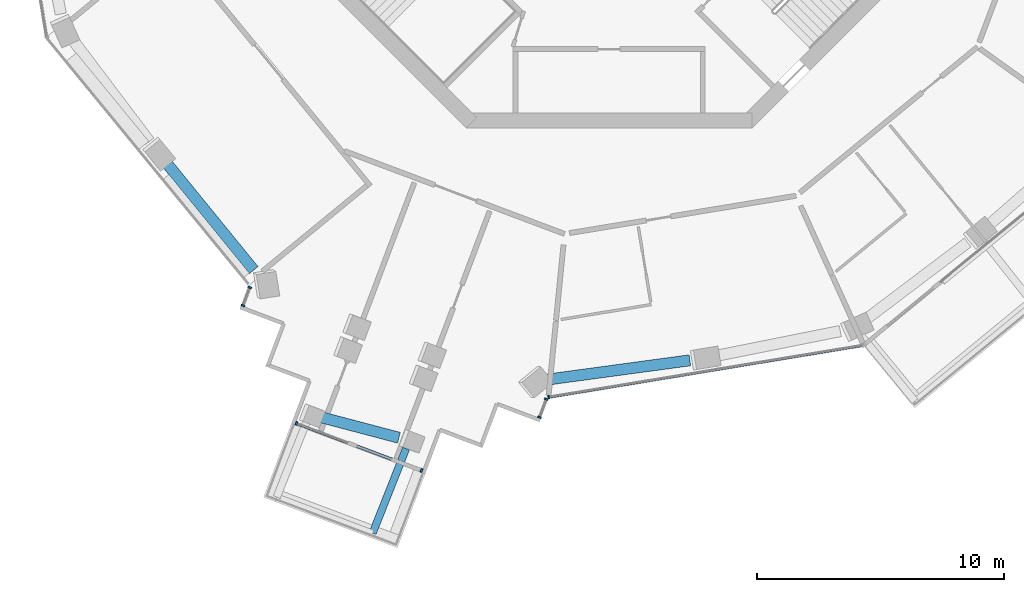
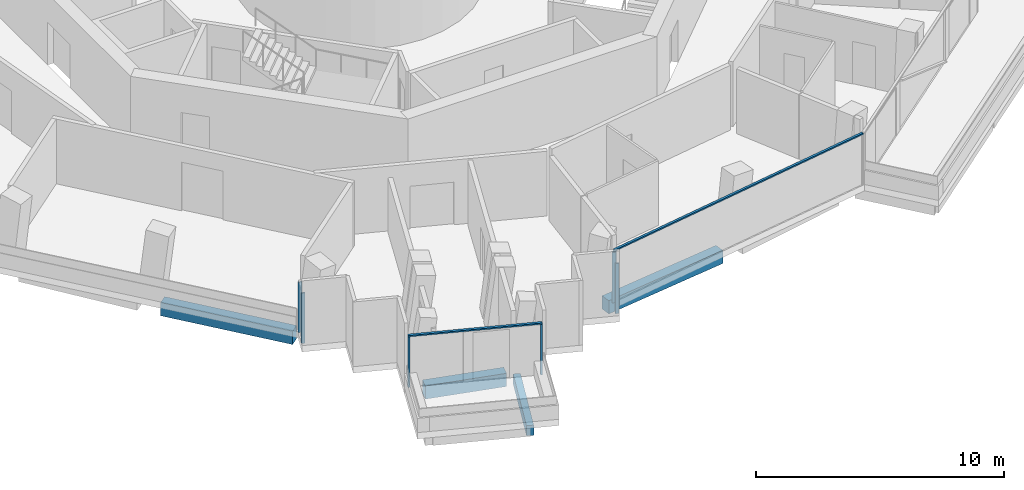
# One storey, part 2 of 21: 9 members, 4 beams, 4 elements without a shape of their own.
"""IFC4 building model written with IfcOpenShell, lengths in metres."""

import ifcopenshell
import ifcopenshell.guid

model = None  # the IFC model being written
_history = None  # IfcOwnerHistory: only IFC2X3 demands one
_inside = {}  # id of a spatial element -> (the spatial element, [elements in it])
_under = {}  # id of a project, library or spatial element -> (it, [spatial elements below it])
_declared = {}  # id of a project -> (the project, [libraries it declares])
_typed = {}  # id of a type object -> (the type object, [elements of that type])
_made_of = {}  # id of a material, layer set ... -> (it, [elements and type objects made of it])


def new_model(schema):
    """Start an empty IFC model of exactly this schema.

    Asked for "IFC4X3", IfcOpenShell would pick the latest addendum, in which some entities
    have other attributes; the version numbers below select the first issue.
    IFC2X3 requires an IfcOwnerHistory on every rooted entity: one is made here for all.
    """
    global model, _history
    if schema == "IFC4X3":
        model = ifcopenshell.file(schema_version=(4, 3, 0, 0))
    else:
        model = ifcopenshell.file(schema=schema)
    _inside.clear()
    _under.clear()
    _declared.clear()
    _typed.clear()
    _made_of.clear()
    _history = None
    if model.schema == "IFC2X3":
        org = make("IfcOrganization", Name="unknown")
        user = make(
            "IfcPersonAndOrganization",
            ThePerson=make("IfcPerson", FamilyName="unknown"),
            TheOrganization=org,
        )
        app = make(
            "IfcApplication",
            ApplicationDeveloper=org,
            Version="unknown",
            ApplicationFullName="unknown",
            ApplicationIdentifier="unknown",
        )
        _history = make(
            "IfcOwnerHistory",
            OwningUser=user,
            OwningApplication=app,
            ChangeAction="ADDED",
            CreationDate=0,
        )
    return model


def make(cls, **values):
    """One entity of the class cls with the attributes given. An attribute that is None is left unset."""
    return model.create_entity(
        cls, **{name: value for name, value in values.items() if value is not None}
    )


def rooted(cls, **values):
    """An entity with a GlobalId (a new one), such as an element, a storey or a relation."""
    return make(cls, GlobalId=ifcopenshell.guid.new(), OwnerHistory=_history, **values)


def si_unit(unit_type, name, prefix=None):
    """IfcSIUnit, for example si_unit("LENGTHUNIT", "METRE", prefix="MILLI")."""
    return make("IfcSIUnit", UnitType=unit_type, Prefix=prefix, Name=name)


def assignment(units):
    """IfcUnitAssignment: the units of a project."""
    return None if units is None else make("IfcUnitAssignment", Units=units)


def point(xyz):
    """IfcCartesianPoint."""
    return None if xyz is None else make("IfcCartesianPoint", Coordinates=xyz)


def direction(xyz):
    """IfcDirection."""
    return None if xyz is None else make("IfcDirection", DirectionRatios=xyz)


def frame(location, z_axis=None, x_axis=None):
    """IfcAxis2Placement3D, a coordinate frame: its origin and axes. An axis left out is left unset."""
    return make(
        "IfcAxis2Placement3D",
        Location=point(location),
        Axis=direction(z_axis),
        RefDirection=direction(x_axis),
    )


def frame_2d(location, x_axis=None):
    """IfcAxis2Placement2D, a coordinate frame in the plane: its origin and x axis."""
    return make(
        "IfcAxis2Placement2D", Location=point(location), RefDirection=direction(x_axis)
    )


def origin():
    """The frame at (0, 0, 0) with its axes left unset."""
    return frame((0.0, 0.0, 0.0))


def origin_2d():
    """The frame at (0, 0) in the plane with its x axis left unset."""
    return frame_2d((0.0, 0.0))


def place(relative_to, where):
    """IfcLocalPlacement: puts the frame where relative to a parent placement (None: the world)."""
    return make(
        "IfcLocalPlacement", PlacementRelTo=relative_to, RelativePlacement=where
    )


def context(
    kind, dimensions, precision=None, world=None, true_north=None, identifier=None
):
    """IfcGeometricRepresentationContext, for example the 3D "Model" context."""
    return make(
        "IfcGeometricRepresentationContext",
        ContextIdentifier=identifier,
        ContextType=kind,
        CoordinateSpaceDimension=dimensions,
        Precision=precision,
        WorldCoordinateSystem=world,
        TrueNorth=true_north,
    )


def subcontext(parent, identifier, kind, view, scale=None):
    """IfcGeometricRepresentationSubContext, for example "Body" below "Model"."""
    return make(
        "IfcGeometricRepresentationSubContext",
        ContextIdentifier=identifier,
        ContextType=kind,
        ParentContext=parent,
        TargetScale=scale,
        TargetView=view,
    )


def project(units=None, contexts=None):
    """IfcProject with its units and contexts."""
    return rooted(
        "IfcProject",
        Name="project",
        RepresentationContexts=contexts,
        UnitsInContext=assignment(units),
    )


def spatial(cls, under=None, at=None, **own):
    """A site, building, storey or space (cls), placed at a placement, below another one or the project."""
    s = rooted(cls, ObjectPlacement=at, **own)
    if under is not None:
        _under.setdefault(under.id(), (under, []))[1].append(s)
    return s


def profile(cls, at=None, kind="AREA", **sizes):
    """A parametric profile (cls). Its sizes go by their IFC names, for example OverallWidth=200.0."""
    return make(cls, ProfileType=kind, Position=at, **sizes)


def rectangle(**sizes):
    """IfcRectangleProfileDef."""
    return profile("IfcRectangleProfileDef", **sizes)


def extrude(swept, where, along, depth):
    """IfcExtrudedAreaSolid: the profile swept, set in the frame where, extruded along a direction by depth."""
    return make(
        "IfcExtrudedAreaSolid",
        SweptArea=swept,
        Position=where,
        ExtrudedDirection=direction(along),
        Depth=depth,
    )


def shape(context_of_items, identifier, shape_type, items):
    """IfcShapeRepresentation: the items that make up one representation, for example the "Body"."""
    return make(
        "IfcShapeRepresentation",
        ContextOfItems=context_of_items,
        RepresentationIdentifier=identifier,
        RepresentationType=shape_type,
        Items=items,
    )


def material(Name=None, Category=None):
    """IfcMaterial."""
    return make("IfcMaterial", Name=Name, Category=Category)


def layer(
    of_material, thickness, ventilated=None, Name=None, Category=None, Priority=None
):
    """IfcMaterialLayer: one layer of a wall or slab, of a material (None: an air gap)."""
    return make(
        "IfcMaterialLayer",
        Material=of_material,
        LayerThickness=thickness,
        IsVentilated=ventilated,
        Name=Name,
        Category=Category,
        Priority=Priority,
    )


def layer_set(layers, Name=None):
    """IfcMaterialLayerSet."""
    return make("IfcMaterialLayerSet", MaterialLayers=layers, LayerSetName=Name)


def material_profile(
    of_material, cross_section, Name=None, Category=None, Priority=None
):
    """IfcMaterialProfile: a cross section and its material."""
    return make(
        "IfcMaterialProfile",
        Name=Name,
        Material=of_material,
        Profile=cross_section,
        Priority=Priority,
        Category=Category,
    )


def profile_set(profiles, Name=None, composite=None):
    """IfcMaterialProfileSet."""
    return make(
        "IfcMaterialProfileSet",
        Name=Name,
        MaterialProfiles=profiles,
        CompositeProfile=composite,
    )


def made_of(thing, what):
    """Note that an element or type object is made of a material, layer set ...; save() writes the relation."""
    if what is not None:
        _made_of.setdefault(what.id(), (what, []))[1].append(thing)
    return thing


def type_object(cls, material=None, **own):
    """A type object (cls), such as IfcWallType, which elements share."""
    return made_of(rooted(cls, **own), material)


def element(
    cls,
    number,
    at=None,
    inside=None,
    cuts=None,
    type_object=None,
    material=None,
    context=None,
    identifier="Body",
    shape_type=None,
    held_by="IfcProductDefinitionShape",
    body=None,
    shapes=None,
    **own,
):
    """One element of the class cls, such as IfcWall. Its Tag is "e" and its number.

    at: its placement. inside: the storey or other place that contains it. cuts: it is an
    opening in that element (IfcRelVoidsElement). A single representation is given by context,
    identifier, shape_type and body (its items); several are given by shapes. held_by: the class
    of the entity that holds the representations. save() writes the other relations.
    """
    e = rooted(cls, Tag="e%d" % number, ObjectPlacement=at, **own)
    if body is not None:
        shapes = [shape(context, identifier, shape_type, body)]
    if shapes is not None:
        e.Representation = make(held_by, Representations=shapes)
    if inside is not None:
        _inside.setdefault(inside.id(), (inside, []))[1].append(e)
    if cuts is not None:
        rooted(
            "IfcRelVoidsElement", RelatingBuildingElement=cuts, RelatedOpeningElement=e
        )
    if type_object is not None:
        _typed.setdefault(type_object.id(), (type_object, []))[1].append(e)
    return made_of(e, material)


def aggregate(whole, parts):
    """IfcRelAggregates: a whole, such as a stair, and the parts it consists of."""
    return rooted("IfcRelAggregates", RelatingObject=whole, RelatedObjects=parts)


def save(model, path):
    """Write the relations noted so far, then the file.

    IfcRelAggregates (storeys below a building ...), IfcRelContainedInSpatialStructure (elements
    in a storey), IfcRelDefinesByType, IfcRelAssociatesMaterial and IfcRelDeclares: one each for
    every whole, place, type object, material and project.
    """
    for whole, parts in _under.values():
        aggregate(whole, parts)
    for where, things in _inside.values():
        rooted(
            "IfcRelContainedInSpatialStructure",
            RelatedElements=things,
            RelatingStructure=where,
        )
    for kind, things in _typed.values():
        rooted("IfcRelDefinesByType", RelatedObjects=things, RelatingType=kind)
    for what, things in _made_of.values():
        rooted("IfcRelAssociatesMaterial", RelatedObjects=things, RelatingMaterial=what)
    for by, libraries in _declared.values():
        rooted("IfcRelDeclares", RelatingContext=by, RelatedDefinitions=libraries)
    model.write(path)


model = new_model("IFC4")

# Units and contexts
model_context = context("Model", 3, precision=1e-05, world=origin(), true_north=direction((0.0, 1.0)))
body_context = subcontext(model_context, "Body", "Model", "MODEL_VIEW")
ifc_project = project(units=[si_unit("LENGTHUNIT", "METRE"), si_unit("AREAUNIT", "SQUARE_METRE"), si_unit("VOLUMEUNIT", "CUBIC_METRE"), si_unit("PLANEANGLEUNIT", "RADIAN"), si_unit("MASSUNIT", "GRAM", prefix="KILO")], contexts=[model_context])

# Site, building, storey
site_placement = place(None, origin())
site = spatial("IfcSite", under=ifc_project, at=site_placement, CompositionType="ELEMENT")
building_placement = place(site_placement, origin())
building = spatial("IfcBuilding", under=site, at=building_placement, Name="Verdalira Terraces Hotel", CompositionType="ELEMENT")
storey_placement = place(building_placement, frame((0.0, 0.0, 194.0)))
storey = spatial("IfcBuildingStorey", under=building, at=storey_placement, Name="L47", CompositionType="ELEMENT", Elevation=194.0)

# Beam
ifc_material_1 = material(Name="Concrete C40", Category="concrete")
ifc_material_profile_1 = material_profile(ifc_material_1, rectangle(XDim=0.300049, YDim=0.5, at=origin_2d()), Name="RC 300X500")
ifc_profile_set_1 = profile_set([ifc_material_profile_1], Name="Concrete C40")
beam_type_1 = type_object("IfcBeamType", Name="Balcony cantilever beam RC 300X500 C40", PredefinedType="BEAM", material=ifc_profile_set_1)
beam_1_placement = place(storey_placement, frame((-8.233643, -27.001465, -0.560059), z_axis=(-0.368112832, -0.929781126, 0.0), x_axis=(0.929781126, -0.368112832, 0.0)))
element("IfcBeam", 1, at=beam_1_placement, inside=storey, type_object=beam_type_1, Name="Balcony cantilever beam R19-2", PredefinedType="BEAM", context=body_context, shape_type="SweptSolid", body=[
    extrude(rectangle(XDim=0.300049, YDim=0.5, at=origin_2d()), origin(), (0.0, 0.0, 1.0), 3.688232),
])

# Curtain wall, members
ifc_material_2 = material(Name="Clear glass", Category="glass")
ifc_layer_1 = layer(ifc_material_2, 0.14990234375)
ifc_layer_set_1 = layer_set([ifc_layer_1], Name="CW1 curtain wall")
curtain_wall_type_1 = type_object("IfcCurtainWallType", Name="CW1 curtain wall", PredefinedType="NOTDEFINED", material=ifc_layer_set_1)
curtain_wall_1_placement = place(storey_placement, origin())
curtain_wall_1 = element("IfcCurtainWall", 2, at=curtain_wall_1_placement, inside=storey, type_object=curtain_wall_type_1, Name="CW1 curtain wall L47 edge 25", PredefinedType="NOTDEFINED")
ifc_material_3 = material(Name="Terracotta frame", Category="masonry")
ifc_material_profile_2 = material_profile(ifc_material_3, rectangle(XDim=0.060059, YDim=0.149902, at=origin_2d()), Name="MU 60x150")
ifc_profile_set_2 = profile_set([ifc_material_profile_2], Name="Terracotta frame")
member_type_1 = type_object("IfcMemberType", Name="CW1 mullion 60x150", PredefinedType="MULLION", material=ifc_profile_set_2)
member_1_placement = place(storey_placement, frame((-2.450684, -24.913574, 0.0), z_axis=(0.0, 0.0, 1.0), x_axis=(0.986685944, 0.162637165, 0.0)))
member_1 = element("IfcMember", 3, at=member_1_placement, type_object=member_type_1, Name="CW1 mullion", PredefinedType="MULLION", context=body_context, shape_type="SweptSolid", body=[
    extrude(rectangle(XDim=0.060059, YDim=0.149902, at=origin_2d()), origin(), (0.0, 0.0, 1.0), 2.475098),
])
ifc_material_4 = material(Name="Terracotta frame", Category="masonry")
ifc_material_profile_3 = material_profile(ifc_material_4, rectangle(XDim=0.110107, YDim=0.064941, at=origin_2d()), Name="TR 65x110")
ifc_profile_set_3 = profile_set([ifc_material_profile_3], Name="Terracotta frame")
member_type_2 = type_object("IfcMemberType", Name="CW1 transom 65x110", PredefinedType="USERDEFINED", material=ifc_profile_set_3)
member_2_placement = place(storey_placement, frame((-2.480469, -24.918457, 2.507568), z_axis=(0.98668713, 0.162629971, 0.0), x_axis=(-0.162629971, 0.98668713, 0.0)))
member_2 = element("IfcMember", 4, at=member_2_placement, type_object=member_type_2, Name="CW1 transom", ObjectType="TRANSOM", PredefinedType="USERDEFINED", context=body_context, shape_type="SweptSolid", body=[
    extrude(rectangle(XDim=0.110107, YDim=0.064941, at=origin_2d()), origin(), (0.0, 0.0, 1.0), 12.959961),
])
aggregate(curtain_wall_1, [member_1, member_2])

ifc_material_5 = material(Name="Clear glass", Category="glass")
ifc_layer_2 = layer(ifc_material_5, 0.14990234375)
ifc_layer_set_2 = layer_set([ifc_layer_2], Name="CW2 curtain wall")
curtain_wall_type_2 = type_object("IfcCurtainWallType", Name="CW2 curtain wall", PredefinedType="NOTDEFINED", material=ifc_layer_set_2)
curtain_wall_2_placement = place(storey_placement, origin())
curtain_wall_2 = element("IfcCurtainWall", 5, at=curtain_wall_2_placement, inside=storey, type_object=curtain_wall_type_2, Name="CW2 curtain wall L47 edge 14", PredefinedType="NOTDEFINED")
ifc_material_6 = material(Name="Terracotta frame", Category="masonry")
ifc_material_profile_4 = material_profile(ifc_material_6, rectangle(XDim=0.070068, YDim=0.149902, at=origin_2d()), Name="MU 70x150")
ifc_profile_set_4 = profile_set([ifc_material_profile_4], Name="Terracotta frame")
member_type_3 = type_object("IfcMemberType", Name="CW2 mullion 70x150", PredefinedType="MULLION", material=ifc_profile_set_4)
member_3_placement = place(storey_placement, frame((-14.575928, -20.469238, 0.0), z_axis=(0.0, 0.0, 1.0), x_axis=(-0.352495055, -0.935813676, 0.0)))
member_3 = element("IfcMember", 6, at=member_3_placement, type_object=member_type_3, Name="CW2 mullion", PredefinedType="MULLION", context=body_context, shape_type="SweptSolid", body=[
    extrude(rectangle(XDim=0.070068, YDim=0.149902, at=origin_2d()), origin(), (0.0, 0.0, 1.0), 2.475098),
])
member_4_placement = place(storey_placement, frame((-14.85083, -21.199219, 0.0), z_axis=(0.0, 0.0, 1.0), x_axis=(-0.352495055, -0.935813676, 0.0)))
member_4 = element("IfcMember", 7, at=member_4_placement, type_object=member_type_3, Name="CW2 mullion", PredefinedType="MULLION", context=body_context, shape_type="SweptSolid", body=[
    extrude(rectangle(XDim=0.070068, YDim=0.149902, at=origin_2d()), origin(), (0.0, 0.0, 1.0), 2.475098),
])
aggregate(curtain_wall_2, [member_3, member_4])

curtain_wall_3_placement = place(storey_placement, origin())
curtain_wall_3 = element("IfcCurtainWall", 8, at=curtain_wall_3_placement, inside=storey, type_object=curtain_wall_type_2, Name="CW2 curtain wall L47 edge 24", PredefinedType="NOTDEFINED")
member_5_placement = place(storey_placement, frame((-2.825684, -25.72876, 0.0), z_axis=(0.0, 0.0, 1.0), x_axis=(0.352495055, 0.935813676, 0.0)))
member_5 = element("IfcMember", 9, at=member_5_placement, type_object=member_type_3, Name="CW2 mullion", PredefinedType="MULLION", context=body_context, shape_type="SweptSolid", body=[
    extrude(rectangle(XDim=0.070068, YDim=0.149902, at=origin_2d()), origin(), (0.0, 0.0, 1.0), 2.475098),
])
member_6_placement = place(storey_placement, frame((-2.550781, -24.998779, 0.0), z_axis=(0.0, 0.0, 1.0), x_axis=(0.352495055, 0.935813676, 0.0)))
member_6 = element("IfcMember", 10, at=member_6_placement, type_object=member_type_3, Name="CW2 mullion", PredefinedType="MULLION", context=body_context, shape_type="SweptSolid", body=[
    extrude(rectangle(XDim=0.070068, YDim=0.149902, at=origin_2d()), origin(), (0.0, 0.0, 1.0), 2.475098),
])
aggregate(curtain_wall_3, [member_5, member_6])

ifc_material_7 = material(Name="Clear glass", Category="glass")
ifc_layer_3 = layer(ifc_material_7, 0.14990234375)
ifc_layer_set_3 = layer_set([ifc_layer_3], Name="CW3 curtain wall")
curtain_wall_type_3 = type_object("IfcCurtainWallType", Name="CW3 curtain wall", PredefinedType="NOTDEFINED", material=ifc_layer_set_3)
curtain_wall_4_placement = place(storey_placement, origin())
curtain_wall_4 = element("IfcCurtainWall", 11, at=curtain_wall_4_placement, inside=storey, type_object=curtain_wall_type_3, Name="CW3 curtain wall L47 edge 19", PredefinedType="NOTDEFINED")
ifc_material_8 = material(Name="Terracotta frame", Category="masonry")
ifc_material_profile_5 = material_profile(ifc_material_8, rectangle(XDim=0.080078, YDim=0.149902, at=origin_2d()), Name="MU 80x150")
ifc_profile_set_5 = profile_set([ifc_material_profile_5], Name="Terracotta frame")
member_type_4 = type_object("IfcMemberType", Name="CW3 mullion 80x150", PredefinedType="MULLION", material=ifc_profile_set_5)
member_7_placement = place(storey_placement, frame((-12.682129, -25.980469, 0.0), z_axis=(0.0, 0.0, 1.0), x_axis=(0.935813676, -0.352495055, 0.0)))
member_7 = element("IfcMember", 12, at=member_7_placement, type_object=member_type_4, Name="CW3 mullion", PredefinedType="MULLION", context=body_context, shape_type="SweptSolid", body=[
    extrude(rectangle(XDim=0.080078, YDim=0.149902, at=origin_2d()), origin(), (0.0, 0.0, 1.0), 2.475098),
])
member_8_placement = place(storey_placement, frame((-7.609863, -27.891113, 0.0), z_axis=(0.0, 0.0, 1.0), x_axis=(0.935813676, -0.352495055, 0.0)))
member_8 = element("IfcMember", 13, at=member_8_placement, type_object=member_type_4, Name="CW3 mullion", PredefinedType="MULLION", context=body_context, shape_type="SweptSolid", body=[
    extrude(rectangle(XDim=0.080078, YDim=0.149902, at=origin_2d()), origin(), (0.0, 0.0, 1.0), 2.475098),
])
ifc_material_9 = material(Name="Terracotta frame", Category="masonry")
ifc_material_profile_6 = material_profile(ifc_material_9, rectangle(XDim=0.120117, YDim=0.064941, at=origin_2d()), Name="TR 65x120")
ifc_profile_set_6 = profile_set([ifc_material_profile_6], Name="Terracotta frame")
member_type_5 = type_object("IfcMemberType", Name="CW3 transom 65x120", PredefinedType="USERDEFINED", material=ifc_profile_set_6)
member_9_placement = place(storey_placement, frame((-12.719482, -25.966553, 2.507568), z_axis=(0.935813744, -0.352494874, 0.0), x_axis=(0.352494874, 0.935813744, 0.0)))
member_9 = element("IfcMember", 14, at=member_9_placement, type_object=member_type_5, Name="CW3 transom", ObjectType="TRANSOM", PredefinedType="USERDEFINED", context=body_context, shape_type="SweptSolid", body=[
    extrude(rectangle(XDim=0.120117, YDim=0.064941, at=origin_2d()), origin(), (0.0, 0.0, 1.0), 5.5),
])
aggregate(curtain_wall_4, [member_7, member_8, member_9])

# Beams
ifc_material_10 = material(Name="Concrete C50", Category="concrete")
ifc_material_profile_7 = material_profile(ifc_material_10, rectangle(XDim=0.449951, YDim=0.649902, at=origin_2d()), Name="RC 450X650")
ifc_profile_set_7 = profile_set([ifc_material_profile_7], Name="Concrete C50")
beam_type_2 = type_object("IfcBeamType", Name="Spandrel beam RC 450X650 C50", PredefinedType="SPANDREL", material=ifc_profile_set_7)
beam_2_placement = place(storey_placement, frame((-18.017822, -15.3396, -0.63501), z_axis=(0.631852916, -0.775088312, 0.0), x_axis=(0.775088312, 0.631852916, 0.0)))
element("IfcBeam", 15, at=beam_2_placement, inside=storey, type_object=beam_type_2, Name="Spandrel beam B09", PredefinedType="SPANDREL", context=body_context, shape_type="SweptSolid", body=[
    extrude(rectangle(XDim=0.449951, YDim=0.649902, at=origin_2d()), origin(), (0.0, 0.0, 1.0), 5.706543),
])
beam_3_placement = place(storey_placement, frame((-11.814697, -25.695557, -0.63501), z_axis=(0.966927625, -0.255050913, 0.0), x_axis=(0.255050913, 0.966927625, 0.0)))
element("IfcBeam", 16, at=beam_3_placement, inside=storey, type_object=beam_type_2, Name="Spandrel beam B10", PredefinedType="SPANDREL", context=body_context, shape_type="SweptSolid", body=[
    extrude(rectangle(XDim=0.449951, YDim=0.649902, at=origin_2d()), origin(), (0.0, 0.0, 1.0), 3.404785),
])
beam_4_placement = place(storey_placement, frame((-2.484619, -24.201416, -0.63501), z_axis=(0.990974497, 0.13405054, 0.0), x_axis=(-0.13405054, 0.990974497, 0.0)))
element("IfcBeam", 17, at=beam_4_placement, inside=storey, type_object=beam_type_2, Name="Spandrel beam B11", PredefinedType="SPANDREL", context=body_context, shape_type="SweptSolid", body=[
    extrude(rectangle(XDim=0.449951, YDim=0.649902, at=origin_2d()), origin(), (0.0, 0.0, 1.0), 5.813477),
])

save(model, "model.ifc")
